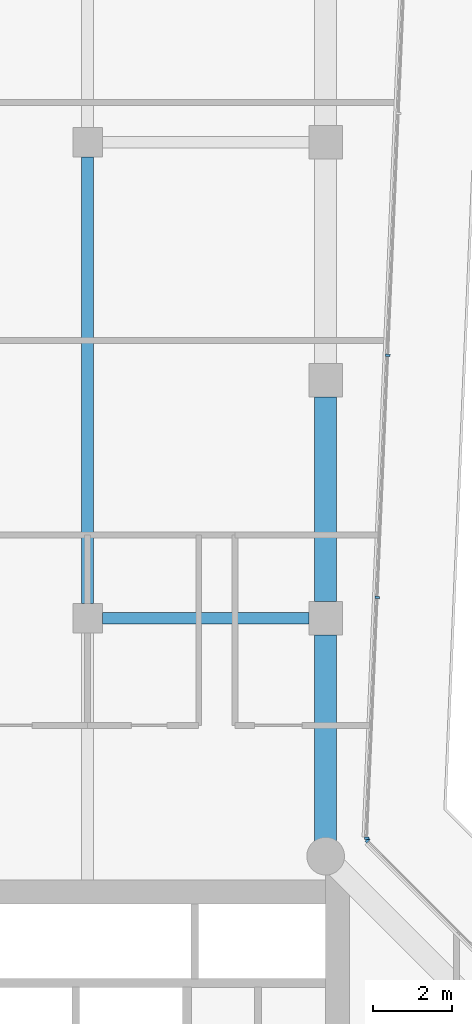
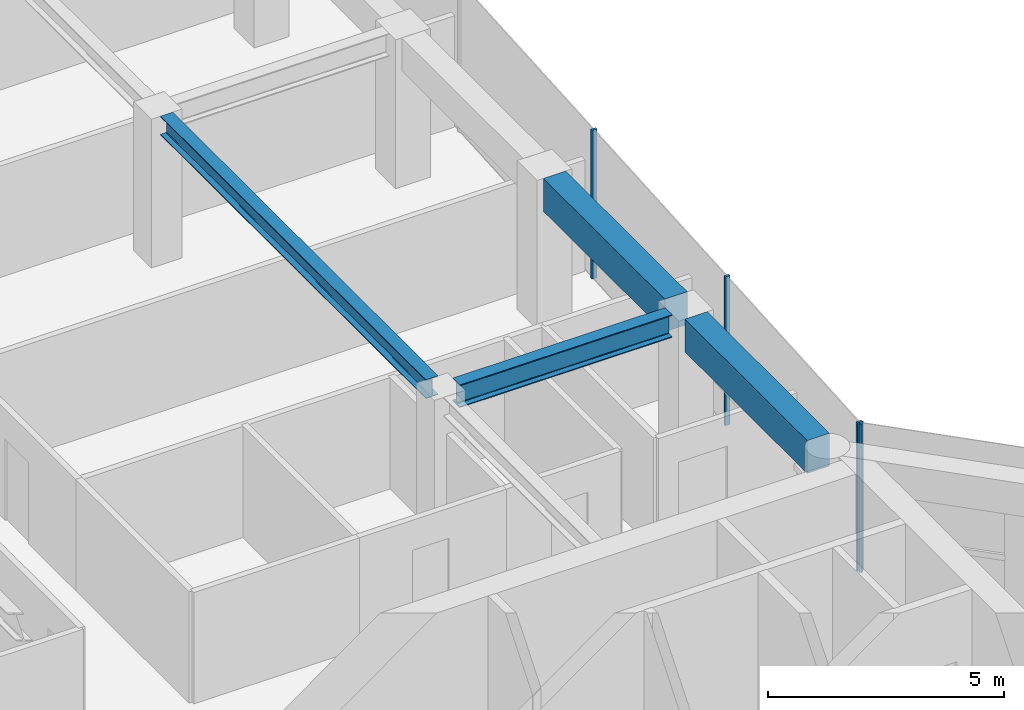
# One storey, part 8 of 21: 4 beams, 4 members, 2 elements without a shape of their own.
"""IFC4 building model written with IfcOpenShell, lengths in metres."""

import ifcopenshell
import ifcopenshell.guid

model = None  # the IFC model being written
_history = None  # IfcOwnerHistory: only IFC2X3 demands one
_inside = {}  # id of a spatial element -> (the spatial element, [elements in it])
_under = {}  # id of a project, library or spatial element -> (it, [spatial elements below it])
_declared = {}  # id of a project -> (the project, [libraries it declares])
_typed = {}  # id of a type object -> (the type object, [elements of that type])
_made_of = {}  # id of a material, layer set ... -> (it, [elements and type objects made of it])


def new_model(schema):
    """Start an empty IFC model of exactly this schema.

    Asked for "IFC4X3", IfcOpenShell would pick the latest addendum, in which some entities
    have other attributes; the version numbers below select the first issue.
    IFC2X3 requires an IfcOwnerHistory on every rooted entity: one is made here for all.
    """
    global model, _history
    if schema == "IFC4X3":
        model = ifcopenshell.file(schema_version=(4, 3, 0, 0))
    else:
        model = ifcopenshell.file(schema=schema)
    _inside.clear()
    _under.clear()
    _declared.clear()
    _typed.clear()
    _made_of.clear()
    _history = None
    if model.schema == "IFC2X3":
        org = make("IfcOrganization", Name="unknown")
        user = make(
            "IfcPersonAndOrganization",
            ThePerson=make("IfcPerson", FamilyName="unknown"),
            TheOrganization=org,
        )
        app = make(
            "IfcApplication",
            ApplicationDeveloper=org,
            Version="unknown",
            ApplicationFullName="unknown",
            ApplicationIdentifier="unknown",
        )
        _history = make(
            "IfcOwnerHistory",
            OwningUser=user,
            OwningApplication=app,
            ChangeAction="ADDED",
            CreationDate=0,
        )
    return model


def make(cls, **values):
    """One entity of the class cls with the attributes given. An attribute that is None is left unset."""
    return model.create_entity(
        cls, **{name: value for name, value in values.items() if value is not None}
    )


def rooted(cls, **values):
    """An entity with a GlobalId (a new one), such as an element, a storey or a relation."""
    return make(cls, GlobalId=ifcopenshell.guid.new(), OwnerHistory=_history, **values)


def si_unit(unit_type, name, prefix=None):
    """IfcSIUnit, for example si_unit("LENGTHUNIT", "METRE", prefix="MILLI")."""
    return make("IfcSIUnit", UnitType=unit_type, Prefix=prefix, Name=name)


def assignment(units):
    """IfcUnitAssignment: the units of a project."""
    return None if units is None else make("IfcUnitAssignment", Units=units)


def point(xyz):
    """IfcCartesianPoint."""
    return None if xyz is None else make("IfcCartesianPoint", Coordinates=xyz)


def direction(xyz):
    """IfcDirection."""
    return None if xyz is None else make("IfcDirection", DirectionRatios=xyz)


def frame(location, z_axis=None, x_axis=None):
    """IfcAxis2Placement3D, a coordinate frame: its origin and axes. An axis left out is left unset."""
    return make(
        "IfcAxis2Placement3D",
        Location=point(location),
        Axis=direction(z_axis),
        RefDirection=direction(x_axis),
    )


def frame_2d(location, x_axis=None):
    """IfcAxis2Placement2D, a coordinate frame in the plane: its origin and x axis."""
    return make(
        "IfcAxis2Placement2D", Location=point(location), RefDirection=direction(x_axis)
    )


def origin():
    """The frame at (0, 0, 0) with its axes left unset."""
    return frame((0.0, 0.0, 0.0))


def origin_2d():
    """The frame at (0, 0) in the plane with its x axis left unset."""
    return frame_2d((0.0, 0.0))


def place(relative_to, where):
    """IfcLocalPlacement: puts the frame where relative to a parent placement (None: the world)."""
    return make(
        "IfcLocalPlacement", PlacementRelTo=relative_to, RelativePlacement=where
    )


def context(
    kind, dimensions, precision=None, world=None, true_north=None, identifier=None
):
    """IfcGeometricRepresentationContext, for example the 3D "Model" context."""
    return make(
        "IfcGeometricRepresentationContext",
        ContextIdentifier=identifier,
        ContextType=kind,
        CoordinateSpaceDimension=dimensions,
        Precision=precision,
        WorldCoordinateSystem=world,
        TrueNorth=true_north,
    )


def subcontext(parent, identifier, kind, view, scale=None):
    """IfcGeometricRepresentationSubContext, for example "Body" below "Model"."""
    return make(
        "IfcGeometricRepresentationSubContext",
        ContextIdentifier=identifier,
        ContextType=kind,
        ParentContext=parent,
        TargetScale=scale,
        TargetView=view,
    )


def project(units=None, contexts=None):
    """IfcProject with its units and contexts."""
    return rooted(
        "IfcProject",
        Name="project",
        RepresentationContexts=contexts,
        UnitsInContext=assignment(units),
    )


def spatial(cls, under=None, at=None, **own):
    """A site, building, storey or space (cls), placed at a placement, below another one or the project."""
    s = rooted(cls, ObjectPlacement=at, **own)
    if under is not None:
        _under.setdefault(under.id(), (under, []))[1].append(s)
    return s


def profile(cls, at=None, kind="AREA", **sizes):
    """A parametric profile (cls). Its sizes go by their IFC names, for example OverallWidth=200.0."""
    return make(cls, ProfileType=kind, Position=at, **sizes)


def rectangle(**sizes):
    """IfcRectangleProfileDef."""
    return profile("IfcRectangleProfileDef", **sizes)


def i_section(**sizes):
    """IfcIShapeProfileDef."""
    return profile("IfcIShapeProfileDef", **sizes)


def extrude(swept, where, along, depth):
    """IfcExtrudedAreaSolid: the profile swept, set in the frame where, extruded along a direction by depth."""
    return make(
        "IfcExtrudedAreaSolid",
        SweptArea=swept,
        Position=where,
        ExtrudedDirection=direction(along),
        Depth=depth,
    )


def shape(context_of_items, identifier, shape_type, items):
    """IfcShapeRepresentation: the items that make up one representation, for example the "Body"."""
    return make(
        "IfcShapeRepresentation",
        ContextOfItems=context_of_items,
        RepresentationIdentifier=identifier,
        RepresentationType=shape_type,
        Items=items,
    )


def material(Name=None, Category=None):
    """IfcMaterial."""
    return make("IfcMaterial", Name=Name, Category=Category)


def layer(
    of_material, thickness, ventilated=None, Name=None, Category=None, Priority=None
):
    """IfcMaterialLayer: one layer of a wall or slab, of a material (None: an air gap)."""
    return make(
        "IfcMaterialLayer",
        Material=of_material,
        LayerThickness=thickness,
        IsVentilated=ventilated,
        Name=Name,
        Category=Category,
        Priority=Priority,
    )


def layer_set(layers, Name=None):
    """IfcMaterialLayerSet."""
    return make("IfcMaterialLayerSet", MaterialLayers=layers, LayerSetName=Name)


def material_profile(
    of_material, cross_section, Name=None, Category=None, Priority=None
):
    """IfcMaterialProfile: a cross section and its material."""
    return make(
        "IfcMaterialProfile",
        Name=Name,
        Material=of_material,
        Profile=cross_section,
        Priority=Priority,
        Category=Category,
    )


def profile_set(profiles, Name=None, composite=None):
    """IfcMaterialProfileSet."""
    return make(
        "IfcMaterialProfileSet",
        Name=Name,
        MaterialProfiles=profiles,
        CompositeProfile=composite,
    )


def made_of(thing, what):
    """Note that an element or type object is made of a material, layer set ...; save() writes the relation."""
    if what is not None:
        _made_of.setdefault(what.id(), (what, []))[1].append(thing)
    return thing


def type_object(cls, material=None, **own):
    """A type object (cls), such as IfcWallType, which elements share."""
    return made_of(rooted(cls, **own), material)


def element(
    cls,
    number,
    at=None,
    inside=None,
    cuts=None,
    type_object=None,
    material=None,
    context=None,
    identifier="Body",
    shape_type=None,
    held_by="IfcProductDefinitionShape",
    body=None,
    shapes=None,
    **own,
):
    """One element of the class cls, such as IfcWall. Its Tag is "e" and its number.

    at: its placement. inside: the storey or other place that contains it. cuts: it is an
    opening in that element (IfcRelVoidsElement). A single representation is given by context,
    identifier, shape_type and body (its items); several are given by shapes. held_by: the class
    of the entity that holds the representations. save() writes the other relations.
    """
    e = rooted(cls, Tag="e%d" % number, ObjectPlacement=at, **own)
    if body is not None:
        shapes = [shape(context, identifier, shape_type, body)]
    if shapes is not None:
        e.Representation = make(held_by, Representations=shapes)
    if inside is not None:
        _inside.setdefault(inside.id(), (inside, []))[1].append(e)
    if cuts is not None:
        rooted(
            "IfcRelVoidsElement", RelatingBuildingElement=cuts, RelatedOpeningElement=e
        )
    if type_object is not None:
        _typed.setdefault(type_object.id(), (type_object, []))[1].append(e)
    return made_of(e, material)


def aggregate(whole, parts):
    """IfcRelAggregates: a whole, such as a stair, and the parts it consists of."""
    return rooted("IfcRelAggregates", RelatingObject=whole, RelatedObjects=parts)


def save(model, path):
    """Write the relations noted so far, then the file.

    IfcRelAggregates (storeys below a building ...), IfcRelContainedInSpatialStructure (elements
    in a storey), IfcRelDefinesByType, IfcRelAssociatesMaterial and IfcRelDeclares: one each for
    every whole, place, type object, material and project.
    """
    for whole, parts in _under.values():
        aggregate(whole, parts)
    for where, things in _inside.values():
        rooted(
            "IfcRelContainedInSpatialStructure",
            RelatedElements=things,
            RelatingStructure=where,
        )
    for kind, things in _typed.values():
        rooted("IfcRelDefinesByType", RelatedObjects=things, RelatingType=kind)
    for what, things in _made_of.values():
        rooted("IfcRelAssociatesMaterial", RelatedObjects=things, RelatingMaterial=what)
    for by, libraries in _declared.values():
        rooted("IfcRelDeclares", RelatingContext=by, RelatedDefinitions=libraries)
    model.write(path)


model = new_model("IFC4")

# Units and contexts
model_context = context("Model", 3, precision=1e-05, world=origin(), true_north=direction((0.0, 1.0)))
body_context = subcontext(model_context, "Body", "Model", "MODEL_VIEW")
ifc_project = project(units=[si_unit("LENGTHUNIT", "METRE"), si_unit("AREAUNIT", "SQUARE_METRE"), si_unit("VOLUMEUNIT", "CUBIC_METRE"), si_unit("PLANEANGLEUNIT", "RADIAN"), si_unit("MASSUNIT", "GRAM", prefix="KILO")], contexts=[model_context])

# Site, building, storey
site_placement = place(None, origin())
site = spatial("IfcSite", under=ifc_project, at=site_placement, CompositionType="ELEMENT")
building_placement = place(site_placement, origin())
building = spatial("IfcBuilding", under=site, at=building_placement, Name="Welwitschia Terrace Campus", CompositionType="ELEMENT")
storey_placement = place(building_placement, frame((0.0, 0.0, 159.199951171875)))
storey = spatial("IfcBuildingStorey", under=building, at=storey_placement, Name="L35", CompositionType="ELEMENT", Elevation=159.199951171875)

# Beam
ifc_material_1 = material(Name="Steel S355", Category="steel")
ifc_material_profile_1 = material_profile(ifc_material_1, i_section(OverallWidth=0.300048828125, OverallDepth=0.489990234375, WebThickness=0.011962890625, FlangeThickness=0.02294921875, FilletRadius=0.027099609375, at=origin_2d()))
ifc_profile_set_1 = profile_set([ifc_material_profile_1], Name="Steel S355")
beam_type_1 = type_object("IfcBeamType", Name="Interior girder HE 500 A", PredefinedType="BEAM", material=ifc_profile_set_1)
beam_1_placement = place(storey_placement, frame((18.0, 32.37548828125, 3.60498046875), z_axis=(0.0, 1.0, 0.0), x_axis=(-1.0, 0.0, 0.0)))
element("IfcBeam", 1, at=beam_1_placement, inside=storey, type_object=beam_type_1, Name="Girder GB4", PredefinedType="BEAM", context=body_context, shape_type="SweptSolid", body=[
    extrude(i_section(OverallWidth=0.300048828125, OverallDepth=0.489990234375, WebThickness=0.011962890625, FlangeThickness=0.02294921875, FilletRadius=0.027099609375, at=origin_2d()), origin(), (0.0, 0.0, 1.0), 11.2490234375),
])

# Curtain wall, member
ifc_material_2 = material(Name="Bronze anodised aluminium", Category="aluminium")
ifc_layer = layer(ifc_material_2, 0.1201171875)
ifc_layer_set = layer_set([ifc_layer], Name="Bronze anodised aluminium")
curtain_wall_type = type_object("IfcCurtainWallType", Name="Curtain wall CW2 tower 6000", PredefinedType="NOTDEFINED", material=ifc_layer_set)
curtain_wall_1_placement = place(storey_placement, origin())
curtain_wall_1 = element("IfcCurtainWall", 2, at=curtain_wall_1_placement, inside=storey, type_object=curtain_wall_type, Name="CW L35.8.0", PredefinedType="NOTDEFINED")
ifc_material_3 = material(Name="Bronze anodised aluminium", Category="aluminium")
ifc_material_profile_2 = material_profile(ifc_material_3, rectangle(XDim=0.1201171875, YDim=0.06005859375, at=origin_2d()))
ifc_profile_set_2 = profile_set([ifc_material_profile_2], Name="Bronze anodised aluminium")
member_type = type_object("IfcMemberType", Name="Mullion 60x120", PredefinedType="MULLION", material=ifc_profile_set_2)
member_1_placement = place(storey_placement, frame((25.056396484375, 26.400146484375, 0.0), z_axis=(0.0, 0.0, 1.0), x_axis=(-0.707106781187, -0.707106781187, 0.0)))
member_1 = element("IfcMember", 3, at=member_1_placement, type_object=member_type, Name="Mullion L35.8.0.1", PredefinedType="MULLION", context=body_context, shape_type="SweptSolid", body=[
    extrude(rectangle(XDim=0.1201171875, YDim=0.06005859375, at=origin_2d()), origin(), (0.0, 0.0, 1.0), 3.85009765625),
])
aggregate(curtain_wall_1, [member_1])

# Curtain wall, members
curtain_wall_2_placement = place(storey_placement, origin())
curtain_wall_2 = element("IfcCurtainWall", 4, at=curtain_wall_2_placement, inside=storey, type_object=curtain_wall_type, Name="CW L35.9.0", PredefinedType="NOTDEFINED")
member_2_placement = place(storey_placement, frame((25.03662109375, 26.451416015625, 0.0), z_axis=(0.0, 0.0, 1.0), x_axis=(-0.999048221582, 0.043619387365, 0.0)))
member_2 = element("IfcMember", 5, at=member_2_placement, type_object=member_type, Name="Mullion L35.9.0.0", PredefinedType="MULLION", context=body_context, shape_type="SweptSolid", body=[
    extrude(rectangle(XDim=0.1201171875, YDim=0.06005859375, at=origin_2d()), origin(), (0.0, 0.0, 1.0), 3.85009765625),
])
member_3_placement = place(storey_placement, frame((25.3017578125, 32.522705078125, 0.0), z_axis=(0.0, 0.0, 1.0), x_axis=(-0.999048221582, 0.043619387365, 0.0)))
member_3 = element("IfcMember", 6, at=member_3_placement, type_object=member_type, Name="Mullion L35.9.0.1", PredefinedType="MULLION", context=body_context, shape_type="SweptSolid", body=[
    extrude(rectangle(XDim=0.1201171875, YDim=0.06005859375, at=origin_2d()), origin(), (0.0, 0.0, 1.0), 3.85009765625),
])
member_4_placement = place(storey_placement, frame((25.568115234375, 38.624267578125, 0.0), z_axis=(0.0, 0.0, 1.0), x_axis=(-0.999048221582, 0.043619387365, 0.0)))
member_4 = element("IfcMember", 7, at=member_4_placement, type_object=member_type, Name="Mullion L35.9.0.2", PredefinedType="MULLION", context=body_context, shape_type="SweptSolid", body=[
    extrude(rectangle(XDim=0.1201171875, YDim=0.06005859375, at=origin_2d()), origin(), (0.0, 0.0, 1.0), 3.85009765625),
])
aggregate(curtain_wall_2, [member_2, member_3, member_4])

# Beams
ifc_material_4 = material(Name="Steel S355", Category="steel")
ifc_material_profile_3 = material_profile(ifc_material_4, i_section(OverallWidth=0.300048828125, OverallDepth=0.590087890625, WebThickness=0.012939453125, FlangeThickness=0.02490234375, FilletRadius=0.027099609375, at=origin_2d()))
ifc_profile_set_3 = profile_set([ifc_material_profile_3], Name="Steel S355")
beam_type_2 = type_object("IfcBeamType", Name="Primary beam HE 600 A", PredefinedType="BEAM", material=ifc_profile_set_3)
beam_2_placement = place(storey_placement, frame((23.574462890625, 32.0, 3.554931640625), z_axis=(-1.0, 0.0, 0.0), x_axis=(0.0, -1.0, 0.0)))
element("IfcBeam", 8, at=beam_2_placement, inside=storey, type_object=beam_type_2, Name="Primary beam PB4", PredefinedType="BEAM", context=body_context, shape_type="SweptSolid", body=[
    extrude(i_section(OverallWidth=0.300048828125, OverallDepth=0.590087890625, WebThickness=0.012939453125, FlangeThickness=0.02490234375, FilletRadius=0.027099609375, at=origin_2d()), origin(), (0.0, 0.0, 1.0), 5.198974609375),
])
ifc_material_5 = material(Name="Concrete C50/60", Category="concrete")
ifc_material_profile_4 = material_profile(ifc_material_5, rectangle(XDim=0.550048828125, YDim=0.85009765625, at=origin_2d()))
ifc_profile_set_4 = profile_set([ifc_material_profile_4], Name="Concrete C50/60")
beam_type_3 = type_object("IfcBeamType", Name="Ring spandrel 550x850", PredefinedType="SPANDREL", material=ifc_profile_set_4)
beam_3_placement = place(storey_placement, frame((24.0, 26.387939453125, 3.425048828125), z_axis=(0.0, 1.0, 0.0), x_axis=(-1.0, 0.0, 0.0)))
element("IfcBeam", 9, at=beam_3_placement, inside=storey, type_object=beam_type_3, Name="Spandrel SP3", PredefinedType="SPANDREL", context=body_context, shape_type="SweptSolid", body=[
    extrude(rectangle(XDim=0.550048828125, YDim=0.85009765625, at=origin_2d()), origin(), (0.0, 0.0, 1.0), 5.1865234375),
])
beam_4_placement = place(storey_placement, frame((24.0, 32.425537109375, 3.425048828125), z_axis=(0.0, 1.0, 0.0), x_axis=(-1.0, 0.0, 0.0)))
element("IfcBeam", 10, at=beam_4_placement, inside=storey, type_object=beam_type_3, Name="Spandrel SP3", PredefinedType="SPANDREL", context=body_context, shape_type="SweptSolid", body=[
    extrude(rectangle(XDim=0.550048828125, YDim=0.85009765625, at=origin_2d()), origin(), (0.0, 0.0, 1.0), 5.14892578125),
])

save(model, "model.ifc")
